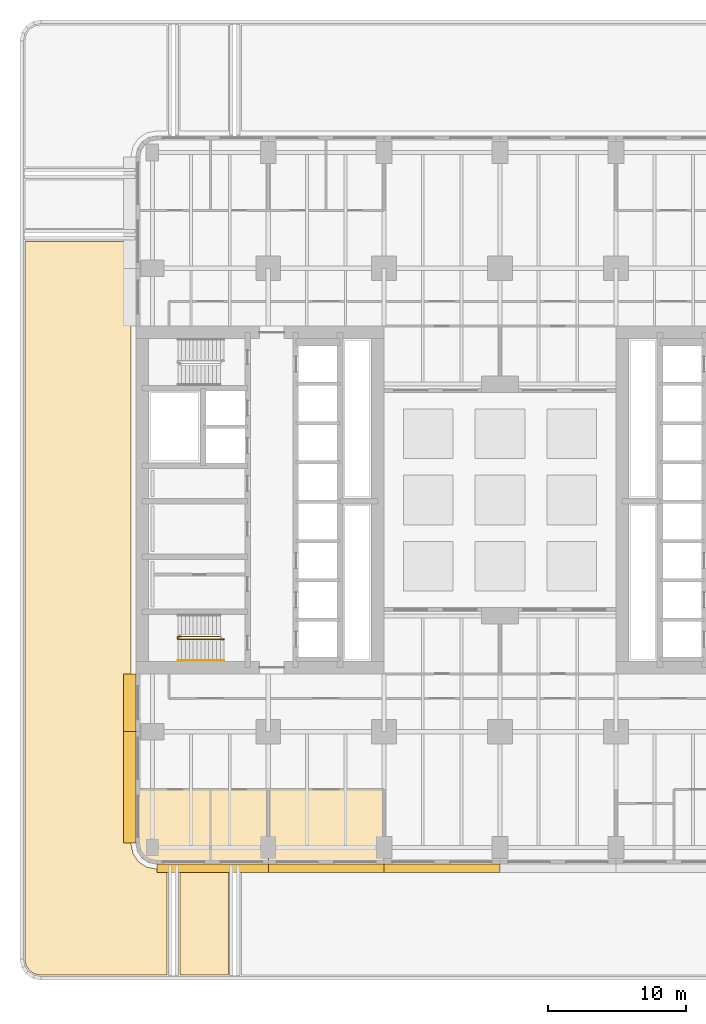
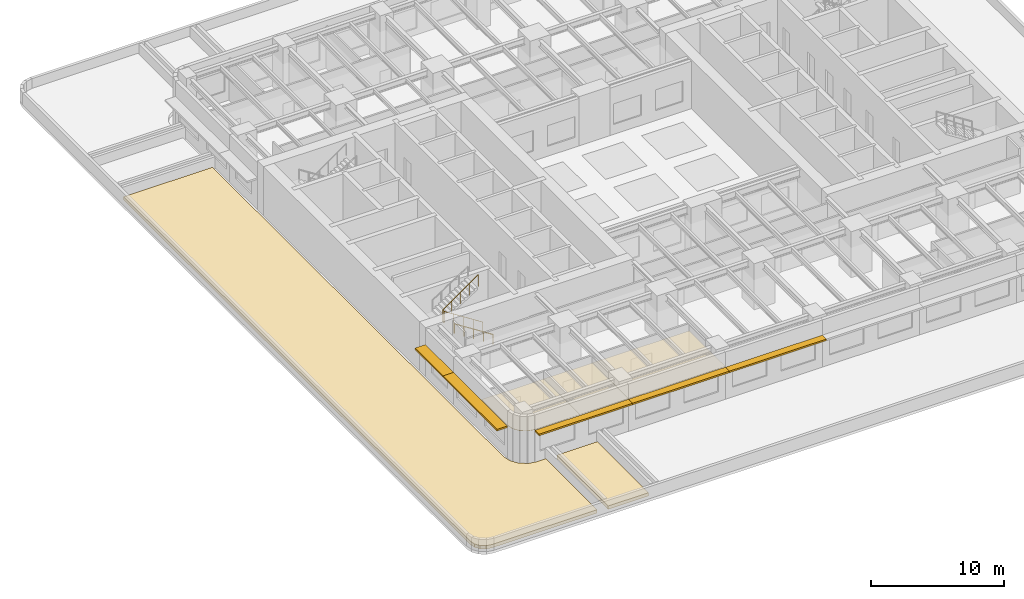
# One storey, part 11 of 17: 5 coverings, 5 shading devices, 2 railings.
"""IFC4 building model written with IfcOpenShell, lengths in metres."""

from ifc_helpers import new_model, si_unit, direction, frame, origin, origin_2d, place, context, subcontext, project, spatial, polyline, rectangle, circle, outline, extrude, material, layer, layer_set, type_object, element, save


model = new_model("IFC4")

# Units and contexts
model_context = context("Model", 3, precision=1e-05, world=origin(), true_north=direction((0.0, 1.0)))
body_context = subcontext(model_context, "Body", "Model", "MODEL_VIEW")
ifc_project = project(units=[si_unit("LENGTHUNIT", "METRE"), si_unit("AREAUNIT", "SQUARE_METRE"), si_unit("VOLUMEUNIT", "CUBIC_METRE"), si_unit("PLANEANGLEUNIT", "RADIAN"), si_unit("MASSUNIT", "GRAM", prefix="KILO")], contexts=[model_context])

# Site, building, storey
site_placement = place(None, origin())
site = spatial("IfcSite", under=ifc_project, at=site_placement, CompositionType="ELEMENT")
building_placement = place(site_placement, origin())
building = spatial("IfcBuilding", under=site, at=building_placement, Name="Claustro Exchange Tower", CompositionType="ELEMENT")
storey_placement = place(building_placement, frame((0.0, 0.0, 18.89990234375)))
storey = spatial("IfcBuildingStorey", under=building, at=storey_placement, Name="L04", CompositionType="ELEMENT", Elevation=18.89990234375)

# Coverings
ifc_material_1 = material(Name="Gypsum board ceiling", Category="gypsum board")
ifc_layer_1 = layer(ifc_material_1, 0.02490234375)
ifc_layer_set_1 = layer_set([ifc_layer_1], Name="Gypsum board ceiling")
covering_type_1 = type_object("IfcCoveringType", Name="CL2 plasterboard ceiling", PredefinedType="CEILING", material=ifc_layer_set_1)
covering_1_placement = place(storey_placement, frame((0.0, 0.0, 3.0)))
element("IfcCovering", 1, at=covering_1_placement, inside=storey, type_object=covering_type_1, Name="Ceiling CL2 L04-02", PredefinedType="CEILING", context=body_context, shape_type="SweptSolid", body=[
    extrude(outline(polyline([(-1.085693359375, -0.27392578125), (-0.7607421875, -0.7607421875), (-0.27392578125, -1.085693359375), (0.300048828125, -1.199951171875), (4.199951171875, -1.199951171875), (4.199951171875, 4.199951171875), (-1.199951171875, 4.199951171875), (-1.199951171875, 0.300048828125), (-1.085693359375, -0.27392578125)])), origin(), (0.0, 0.0, 1.0), 0.025146484375),
])
covering_2_placement = place(storey_placement, frame((0.0, 0.0, 3.0)))
element("IfcCovering", 2, at=covering_2_placement, inside=storey, type_object=covering_type_1, Name="Ceiling CL2 L04-03", PredefinedType="CEILING", context=body_context, shape_type="SweptSolid", body=[
    extrude(outline(polyline([(4.199951171875, -1.199951171875), (8.39990234375, -1.199951171875), (8.39990234375, 4.199951171875), (4.199951171875, 4.199951171875), (4.199951171875, -1.199951171875)])), origin(), (0.0, 0.0, 1.0), 0.025146484375),
])
covering_3_placement = place(storey_placement, frame((0.0, 0.0, 3.0)))
element("IfcCovering", 3, at=covering_3_placement, inside=storey, type_object=covering_type_1, Name="Ceiling CL2 L04-04", PredefinedType="CEILING", context=body_context, shape_type="SweptSolid", body=[
    extrude(outline(polyline([(8.39990234375, -1.199951171875), (16.800048828125, -1.199951171875), (16.800048828125, 4.199951171875), (8.39990234375, 4.199951171875), (8.39990234375, -1.199951171875)])), origin(), (0.0, 0.0, 1.0), 0.025146484375),
])

# Railings
ifc_material_2 = material(Name="Steel balustrade, painted", Category="steel")
railing_type_1 = type_object("IfcRailingType", Name="GR2 1100 steel stair guard", PredefinedType="GUARDRAIL", material=ifc_material_2)
railing_1_placement = place(storey_placement, frame((5.199951171875, 15.10009765625, 0.18017578125)))
element("IfcRailing", 4, at=railing_1_placement, inside=storey, type_object=railing_type_1, Name="Stair well guard GR2 stair STWA L04", PredefinedType="GUARDRAIL", context=body_context, shape_type="SweptSolid", body=[
    extrude(circle(Radius=0.02392578125, at=origin_2d()), frame((0.0, 0.0, 1.076171875), z_axis=(-0.841178475377, 0.0, 0.540757591313), x_axis=(0.0, -1.0, 0.0)), (0.0, 0.0, 1.0), 3.994140625),
    extrude(circle(Radius=0.02392578125, at=origin_2d()), frame((-3.35986328125, 0.0, 3.23583984375), z_axis=(0.0, 1.0, 0.0), x_axis=(-1.0, 0.0, 0.0)), (0.0, 0.0, 1.0), 0.199951171875),
    extrude(circle(Radius=0.02392578125, at=origin_2d()), frame((-3.35986328125, 0.199951171875, 3.23583984375), z_axis=(0.818728512145, 0.0, 0.574180828137), x_axis=(0.0, 1.0, 0.0)), (0.0, 0.0, 1.0), 3.76171875),
    extrude(circle(Radius=0.02099609375, at=origin_2d()), origin(), (0.0, 0.0, 1.0), 1.052001953125),
    extrude(circle(Radius=0.02099609375, at=origin_2d()), frame((-0.83984375, 0.0, 0.5400390625)), (0.0, 0.0, 1.0), 1.052001953125),
    extrude(circle(Radius=0.02099609375, at=origin_2d()), frame((-1.679931640625, 0.0, 1.080078125)), (0.0, 0.0, 1.0), 1.052001953125),
    extrude(circle(Radius=0.02099609375, at=origin_2d()), frame((-2.52001953125, 0.0, 1.619873046875)), (0.0, 0.0, 1.0), 1.052001953125),
    extrude(circle(Radius=0.02099609375, at=origin_2d()), frame((-3.35986328125, 0.0, 2.159912109375)), (0.0, 0.0, 1.0), 1.052001953125),
    extrude(circle(Radius=0.02099609375, at=origin_2d()), frame((-3.35986328125, 0.199951171875, 2.159912109375)), (0.0, 0.0, 1.0), 1.052001953125),
    extrude(circle(Radius=0.02099609375, at=origin_2d()), frame((-2.58984375, 0.199951171875, 2.699951171875)), (0.0, 0.0, 1.0), 1.052001953125),
    extrude(circle(Radius=0.02099609375, at=origin_2d()), frame((-1.81982421875, 0.199951171875, 3.23974609375)), (0.0, 0.0, 1.0), 1.052001953125),
    extrude(circle(Radius=0.02099609375, at=origin_2d()), frame((-1.050048828125, 0.199951171875, 3.77978515625)), (0.0, 0.0, 1.0), 1.052001953125),
    extrude(circle(Radius=0.02099609375, at=origin_2d()), frame((-0.280029296875, 0.199951171875, 4.31982421875)), (0.0, 0.0, 1.0), 1.052001953125),
])
ifc_material_3 = material(Name="Stainless steel tube", Category="steel")
railing_type_2 = type_object("IfcRailingType", Name="HR1 900 stair handrail", PredefinedType="HANDRAIL", material=ifc_material_3)
railing_2_placement = place(storey_placement, frame((5.199951171875, 13.56005859375, 0.18017578125)))
element("IfcRailing", 5, at=railing_2_placement, inside=storey, type_object=railing_type_2, Name="Handrail HR1 stair STWA L04", PredefinedType="HANDRAIL", context=body_context, shape_type="SweptSolid", body=[
    extrude(circle(Radius=0.02392578125, at=origin_2d()), frame((0.0, 0.0, 0.8759765625), z_axis=(-0.841178475377, 0.0, 0.540757591313), x_axis=(0.0, -1.0, 0.0)), (0.0, 0.0, 1.0), 3.994140625),
    extrude(circle(Radius=0.02099609375, at=origin_2d()), origin(), (0.0, 0.0, 1.0), 0.851806640625),
    extrude(circle(Radius=0.02099609375, at=origin_2d()), frame((-0.83984375, 0.0, 0.5400390625)), (0.0, 0.0, 1.0), 0.851806640625),
    extrude(circle(Radius=0.02099609375, at=origin_2d()), frame((-1.679931640625, 0.0, 1.080078125)), (0.0, 0.0, 1.0), 0.851806640625),
    extrude(circle(Radius=0.02099609375, at=origin_2d()), frame((-2.52001953125, 0.0, 1.619873046875)), (0.0, 0.0, 1.0), 0.851806640625),
    extrude(circle(Radius=0.02099609375, at=origin_2d()), frame((-3.35986328125, 0.0, 2.159912109375)), (0.0, 0.0, 1.0), 0.851806640625),
])

# Coverings
ifc_material_4 = material(Name="Sedum blanket on substrate and drainage layer", Category="soil")
ifc_layer_2 = layer(ifc_material_4, 0.300048828125)
ifc_layer_set_2 = layer_set([ifc_layer_2], Name="Sedum blanket on substrate and drainage layer")
covering_type_2 = type_object("IfcCoveringType", Name="RG1 300 extensive green roof build-up", PredefinedType="ROOFING", material=ifc_layer_set_2)
covering_4_placement = place(storey_placement, origin())
element("IfcCovering", 6, at=covering_4_placement, inside=storey, type_object=covering_type_2, Name="Roof finish RG1 over L03, maintenance access only", PredefinedType="ROOFING", context=body_context, shape_type="SweptSolid", body=[
    extrude(outline(polyline([(-9.25, 43.949951171875), (-9.25, -8.0654296875), (-9.156005859375, -8.53759765625), (-8.908447265625, -8.908447265625), (-8.53759765625, -9.156005859375), (-8.0654296875, -9.25), (1.050048828125, -9.25), (1.050048828125, -1.550048828125), (0.265380859375, -1.550048828125), (-0.410400390625, -1.41552734375), (-1.012939453125, -1.012939453125), (-1.41552734375, -0.410400390625), (-1.550048828125, 0.265380859375), (-1.550048828125, 43.949951171875), (-9.25, 43.949951171875)])), origin(), (0.0, 0.0, 1.0), 0.300048828125),
])
covering_5_placement = place(storey_placement, origin())
element("IfcCovering", 7, at=covering_5_placement, inside=storey, type_object=covering_type_2, Name="Roof finish RG1 over L03, maintenance access only", PredefinedType="ROOFING", context=body_context, shape_type="SweptSolid", body=[
    extrude(outline(polyline([(2.0, -9.25), (5.5, -9.25), (5.5, -1.550048828125), (2.0, -1.550048828125), (2.0, -9.25)])), origin(), (0.0, 0.0, 1.0), 0.300048828125),
])

# Shading devices
ifc_material_5 = material(Name="Concrete HA-40 (C40/50), precast, white cement, acid-etched", Category="concrete")
ifc_layer_3 = layer(ifc_material_5, 0.14990234375)
ifc_layer_set_3 = layer_set([ifc_layer_3], Name="Concrete HA-40 (C40/50), precast, white cement, acid-etched")
shading_device_type_1 = type_object("IfcShadingDeviceType", Name="SS1 600 precast concrete SUNSHADE", PredefinedType="SHUTTER", material=ifc_layer_set_3)
for number, where, z_axis, x_axis, name in (
    (8, (21.0, -1.5, 2.800048828125), (0.0, 0.0, 1.0), (-1.0, 0.0, 0.0), "Precast SUNSHADE SS1 L04"),
    (9, (12.60009765625, -1.5, 2.800048828125), (0.0, 0.0, 1.0), (-1.0, 0.0, 0.0), "Precast SUNSHADE SS1 L04"),
):
    element("IfcShadingDevice", number, at=place(storey_placement, frame(where, z_axis=z_axis, x_axis=x_axis)), inside=storey, type_object=shading_device_type_1, Name=name, PredefinedType="SHUTTER", context=body_context, shape_type="SweptSolid", body=[
        extrude(rectangle(XDim=8.39990234375, YDim=0.60009765625, at=origin_2d()), origin(), (0.0, 0.0, 1.0), 0.14990234375),
    ])
shading_device_1_placement = place(storey_placement, frame((4.357421875, -1.5, 2.800048828125), z_axis=(0.0, 0.0, 1.0), x_axis=(-1.0, 0.0, 0.0)))
element("IfcShadingDevice", 10, at=shading_device_1_placement, inside=storey, type_object=shading_device_type_1, Name="Precast SUNSHADE SS1 L04", PredefinedType="SHUTTER", context=body_context, shape_type="SweptSolid", body=[
    extrude(rectangle(XDim=8.085205078125, YDim=0.60009765625, at=origin_2d()), origin(), (0.0, 0.0, 1.0), 0.14990234375),
])
ifc_material_6 = material(Name="Concrete HA-40 (C40/50), precast, white cement, acid-etched", Category="concrete")
ifc_layer_4 = layer(ifc_material_6, 0.14990234375)
ifc_layer_set_4 = layer_set([ifc_layer_4], Name="Concrete HA-40 (C40/50), precast, white cement, acid-etched")
shading_device_type_2 = type_object("IfcShadingDeviceType", Name="SS2 900 precast concrete SUNSHADE", PredefinedType="SHUTTER", material=ifc_layer_set_4)
shading_device_2_placement = place(storey_placement, frame((-1.64990234375, 4.357421875, 2.800048828125), z_axis=(0.0, 0.0, 1.0), x_axis=(0.0, 1.0, 0.0)))
element("IfcShadingDevice", 11, at=shading_device_2_placement, inside=storey, type_object=shading_device_type_2, Name="Precast SUNSHADE SS2 L04", PredefinedType="SHUTTER", context=body_context, shape_type="SweptSolid", body=[
    extrude(rectangle(XDim=8.085205078125, YDim=0.89990234375, at=origin_2d()), origin(), (0.0, 0.0, 1.0), 0.14990234375),
])
shading_device_3_placement = place(storey_placement, frame((-1.64990234375, 10.5, 2.800048828125), z_axis=(0.0, 0.0, 1.0), x_axis=(0.0, 1.0, 0.0)))
element("IfcShadingDevice", 12, at=shading_device_3_placement, inside=storey, type_object=shading_device_type_2, Name="Precast SUNSHADE SS2 L04", PredefinedType="SHUTTER", context=body_context, shape_type="SweptSolid", body=[
    extrude(rectangle(XDim=4.199951171875, YDim=0.89990234375, at=origin_2d()), origin(), (0.0, 0.0, 1.0), 0.14990234375),
])

save(model, "model.ifc")
